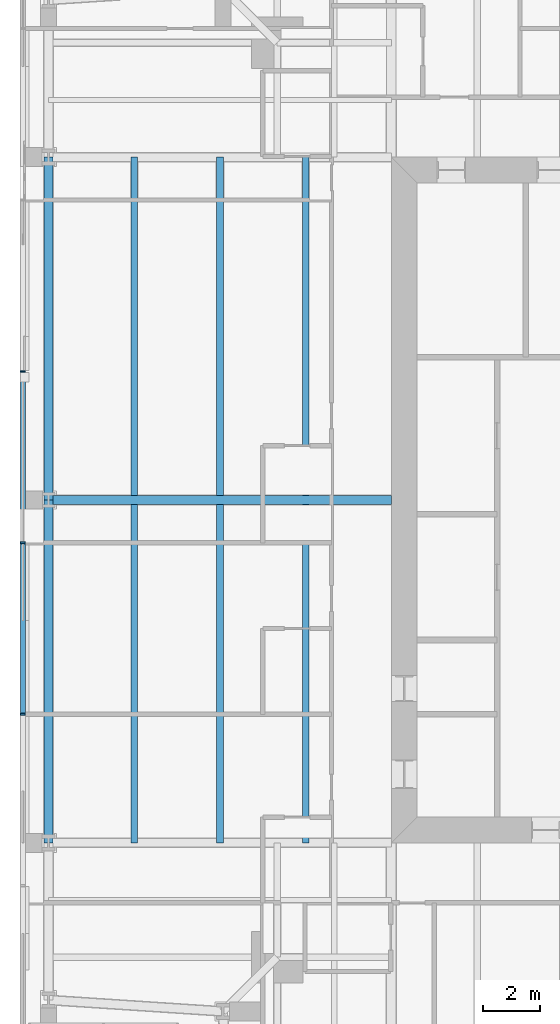
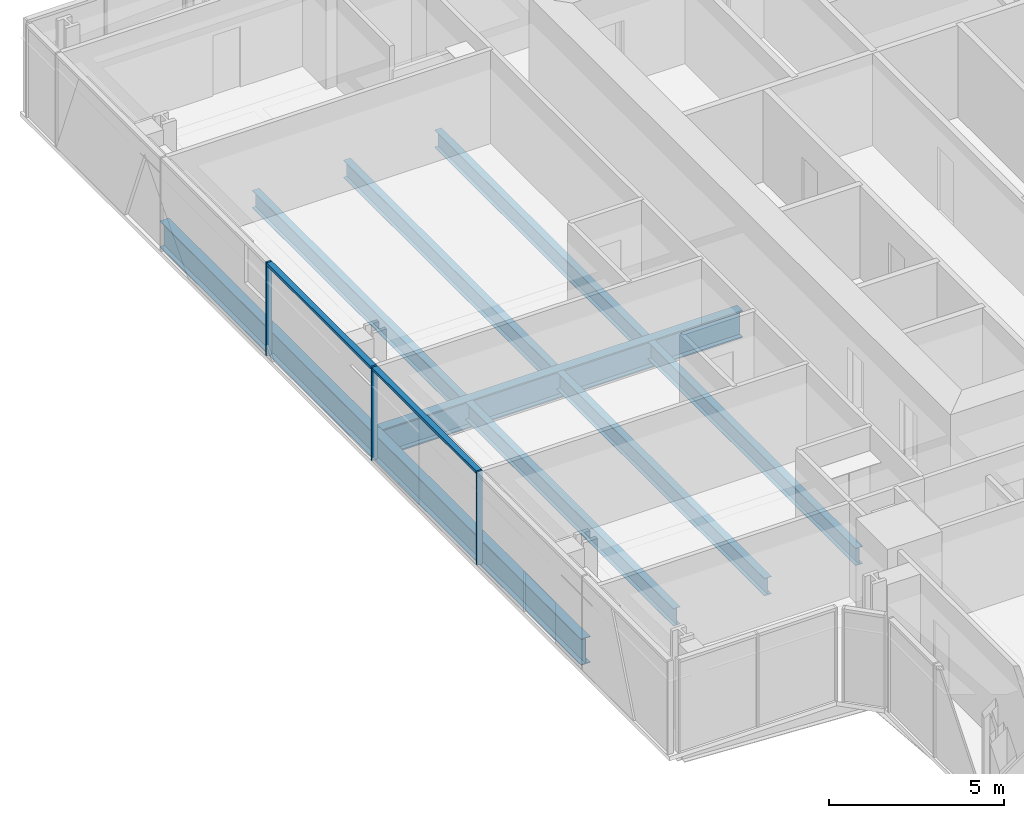
# One storey, part 4 of 18: 9 beams, 5 members, 1 element without a shape of its own.
"""IFC4 building model written with IfcOpenShell, lengths in metres."""

from ifc_helpers import new_model, si_unit, direction, frame, origin, origin_2d, place, context, subcontext, project, spatial, rectangle, i_section, extrude, material, material_profile, profile_set, type_object, element, aggregate, save


model = new_model("IFC4")

# Units and contexts
model_context = context("Model", 3, precision=1e-05, world=origin(), true_north=direction((0.0, 1.0)))
body_context = subcontext(model_context, "Body", "Model", "MODEL_VIEW")
ifc_project = project(units=[si_unit("LENGTHUNIT", "METRE"), si_unit("AREAUNIT", "SQUARE_METRE"), si_unit("VOLUMEUNIT", "CUBIC_METRE"), si_unit("PLANEANGLEUNIT", "RADIAN"), si_unit("MASSUNIT", "GRAM", prefix="KILO")], contexts=[model_context])

# Site, building, storey
site_placement = place(None, origin())
site = spatial("IfcSite", under=ifc_project, at=site_placement, CompositionType="ELEMENT")
building_placement = place(site_placement, origin())
building = spatial("IfcBuilding", under=site, at=building_placement, Name="Fenwick Lantern Interchange", CompositionType="ELEMENT")
storey_placement = place(building_placement, frame((0.0, 0.0, 262.800048828125)))
storey = spatial("IfcBuildingStorey", under=building, at=storey_placement, Name="L62", CompositionType="ELEMENT", Elevation=262.800048828125)

# Beams
ifc_material_1 = material(Name="Steel ASTM A992 Grade 50", Category="steel")
ifc_material_profile_1 = material_profile(ifc_material_1, i_section(OverallWidth=0.3046875, OverallDepth=0.911865234375, WebThickness=0.015869140625, FlangeThickness=0.02392578125, at=origin_2d()), Name="W36X150")
ifc_profile_set_1 = profile_set([ifc_material_profile_1], Name="Steel ASTM A992 Grade 50")
beam_type_1 = type_object("IfcBeamType", Name="EDGE BEAM W36X150", PredefinedType="SPANDREL", material=ifc_profile_set_1)
for number, where, z_axis, x_axis, name in (
    (1, (1.0, 37.0, -0.60595703125), (0.0, -1.0, 0.0), (1.0, 0.0, 0.0), "L62/FR/W/EB2"),
    (2, (1.0, 25.0, -0.60595703125), (0.0, -1.0, 0.0), (1.0, 0.0, 0.0), "L62/FR/W/EB3"),
):
    element("IfcBeam", number, at=place(storey_placement, frame(where, z_axis=z_axis, x_axis=x_axis)), inside=storey, type_object=beam_type_1, Name=name, PredefinedType="SPANDREL", context=body_context, shape_type="SweptSolid", body=[
        extrude(i_section(OverallWidth=0.3046875, OverallDepth=0.911865234375, WebThickness=0.015869140625, FlangeThickness=0.02392578125, at=origin_2d()), origin(), (0.0, 0.0, 1.0), 12.0),
    ])
ifc_material_profile_2 = material_profile(ifc_material_1, i_section(OverallWidth=0.22900390625, OverallDepth=0.612060546875, WebThickness=0.011962890625, FlangeThickness=0.01953125, at=origin_2d()), Name="W24X84")
ifc_profile_set_2 = profile_set([ifc_material_profile_2], Name="Steel ASTM A992 Grade 50")
beam_type_2 = type_object("IfcBeamType", Name="FLOOR BEAM W24X84", PredefinedType="BEAM", material=ifc_profile_set_2)
for number, where, z_axis, x_axis, name in (
    (3, (4.0, 37.0, -0.4560546875), (0.0, -1.0, 0.0), (1.0, 0.0, 0.0), "L62/FR/W/B01"),
    (4, (7.0, 37.0, -0.4560546875), (0.0, -1.0, 0.0), (1.0, 0.0, 0.0), "L62/FR/W/B02"),
    (5, (10.0, 37.0, -0.4560546875), (0.0, -1.0, 0.0), (1.0, 0.0, 0.0), "L62/FR/W/B03"),
    (6, (4.0, 24.844970703125, -0.4560546875), (0.0, -1.0, 0.0), (1.0, 0.0, 0.0), "L62/FR/W/B04"),
    (7, (7.0, 24.844970703125, -0.4560546875), (0.0, -1.0, 0.0), (1.0, 0.0, 0.0), "L62/FR/W/B05"),
    (8, (10.0, 24.844970703125, -0.4560546875), (0.0, -1.0, 0.0), (1.0, 0.0, 0.0), "L62/FR/W/B06"),
):
    element("IfcBeam", number, at=place(storey_placement, frame(where, z_axis=z_axis, x_axis=x_axis)), inside=storey, type_object=beam_type_2, Name=name, PredefinedType="BEAM", context=body_context, shape_type="SweptSolid", body=[
        extrude(i_section(OverallWidth=0.22900390625, OverallDepth=0.612060546875, WebThickness=0.011962890625, FlangeThickness=0.01953125, at=origin_2d()), origin(), (0.0, 0.0, 1.0), 11.844970703125),
    ])

# Curtain wall, members
ifc_material_2 = material(Name="Aluminium curtain wall frame", Category="aluminium")
curtain_wall_type = type_object("IfcCurtainWallType", Name="HOTEL CURTAIN WALL", PredefinedType="USERDEFINED", material=ifc_material_2)
curtain_wall_placement = place(storey_placement, origin())
curtain_wall = element("IfcCurtainWall", 9, at=curtain_wall_placement, inside=storey, type_object=curtain_wall_type, Name="Hotel curtain wall 13", ObjectType="HOTEL CURTAIN WALL", PredefinedType="USERDEFINED")
ifc_material_3 = material(Name="Aluminium extrusion", Category="aluminium")
ifc_material_profile_3 = material_profile(ifc_material_3, rectangle(XDim=0.179931640625, YDim=0.06005859375, at=origin_2d()), Name="HOTEL CURTAIN WALL MULLION 60 X 180")
ifc_profile_set_3 = profile_set([ifc_material_profile_3], Name="Aluminium extrusion")
member_type_1 = type_object("IfcMemberType", Name="HOTEL CURTAIN WALL MULLION 60 X 180", PredefinedType="MULLION", material=ifc_profile_set_3)
member_1_placement = place(storey_placement, frame((0.10009765625, 29.5, 0.0), z_axis=(0.0, 0.0, 1.0), x_axis=(1.0, 0.0, 0.0)))
member_1 = element("IfcMember", 10, at=member_1_placement, type_object=member_type_1, Name="L62/CW/13/M03", PredefinedType="MULLION", context=body_context, shape_type="SweptSolid", body=[
    extrude(rectangle(XDim=0.179931640625, YDim=0.06005859375, at=origin_2d()), origin(), (0.0, 0.0, 1.0), 3.25),
])
member_2_placement = place(storey_placement, frame((0.10009765625, 23.5, 0.0), z_axis=(0.0, 0.0, 1.0), x_axis=(1.0, 0.0, 0.0)))
member_2 = element("IfcMember", 11, at=member_2_placement, type_object=member_type_1, Name="L62/CW/13/M04", PredefinedType="MULLION", context=body_context, shape_type="SweptSolid", body=[
    extrude(rectangle(XDim=0.179931640625, YDim=0.06005859375, at=origin_2d()), origin(), (0.0, 0.0, 1.0), 3.25),
])
member_3_placement = place(storey_placement, frame((0.10009765625, 17.5, 0.0), z_axis=(0.0, 0.0, 1.0), x_axis=(1.0, 0.0, 0.0)))
member_3 = element("IfcMember", 12, at=member_3_placement, type_object=member_type_1, Name="L62/CW/13/M05", PredefinedType="MULLION", context=body_context, shape_type="SweptSolid", body=[
    extrude(rectangle(XDim=0.179931640625, YDim=0.06005859375, at=origin_2d()), origin(), (0.0, 0.0, 1.0), 3.25),
])
ifc_material_profile_4 = material_profile(ifc_material_3, rectangle(XDim=0.179931640625, YDim=0.10009765625, at=origin_2d()), Name="HOTEL CURTAIN WALL TRANSOM 100 X 180")
ifc_profile_set_4 = profile_set([ifc_material_profile_4], Name="Aluminium extrusion")
member_type_2 = type_object("IfcMemberType", Name="HOTEL CURTAIN WALL TRANSOM 100 X 180", PredefinedType="MULLION", material=ifc_profile_set_4)
member_4_placement = place(storey_placement, frame((0.10009765625, 29.469970703125, 3.199951171875), z_axis=(0.0, -1.0, 0.0), x_axis=(1.0, 0.0, 0.0)))
member_4 = element("IfcMember", 13, at=member_4_placement, type_object=member_type_2, Name="L62/CW/13/T03", PredefinedType="MULLION", context=body_context, shape_type="SweptSolid", body=[
    extrude(rectangle(XDim=0.179931640625, YDim=0.10009765625, at=origin_2d()), origin(), (0.0, 0.0, 1.0), 5.93994140625),
])
member_5_placement = place(storey_placement, frame((0.10009765625, 23.469970703125, 3.199951171875), z_axis=(0.0, -1.0, 0.0), x_axis=(1.0, 0.0, 0.0)))
member_5 = element("IfcMember", 14, at=member_5_placement, type_object=member_type_2, Name="L62/CW/13/T04", PredefinedType="MULLION", context=body_context, shape_type="SweptSolid", body=[
    extrude(rectangle(XDim=0.179931640625, YDim=0.10009765625, at=origin_2d()), origin(), (0.0, 0.0, 1.0), 5.93994140625),
])
aggregate(curtain_wall, [member_1, member_2, member_3, member_4, member_5])

# Beam
ifc_material_profile_5 = material_profile(ifc_material_1, i_section(OverallWidth=0.309814453125, OverallDepth=0.949951171875, WebThickness=0.0244140625, FlangeThickness=0.0439453125, at=origin_2d()), Name="W36X256")
ifc_profile_set_5 = profile_set([ifc_material_profile_5], Name="Steel ASTM A992 Grade 50")
beam_type_3 = type_object("IfcBeamType", Name="MOMENT-CONNECTED GIRDER W36X256", PredefinedType="BEAM", material=ifc_profile_set_5)
beam_placement = place(storey_placement, frame((1.0, 25.0, -0.625), z_axis=(1.0, 0.0, 0.0), x_axis=(0.0, 1.0, 0.0)))
element("IfcBeam", 15, at=beam_placement, inside=storey, type_object=beam_type_3, Name="L62/FR/W/R02", PredefinedType="BEAM", context=body_context, shape_type="SweptSolid", body=[
    extrude(i_section(OverallWidth=0.309814453125, OverallDepth=0.949951171875, WebThickness=0.0244140625, FlangeThickness=0.0439453125, at=origin_2d()), origin(), (0.0, 0.0, 1.0), 12.0),
])

save(model, "model.ifc")
